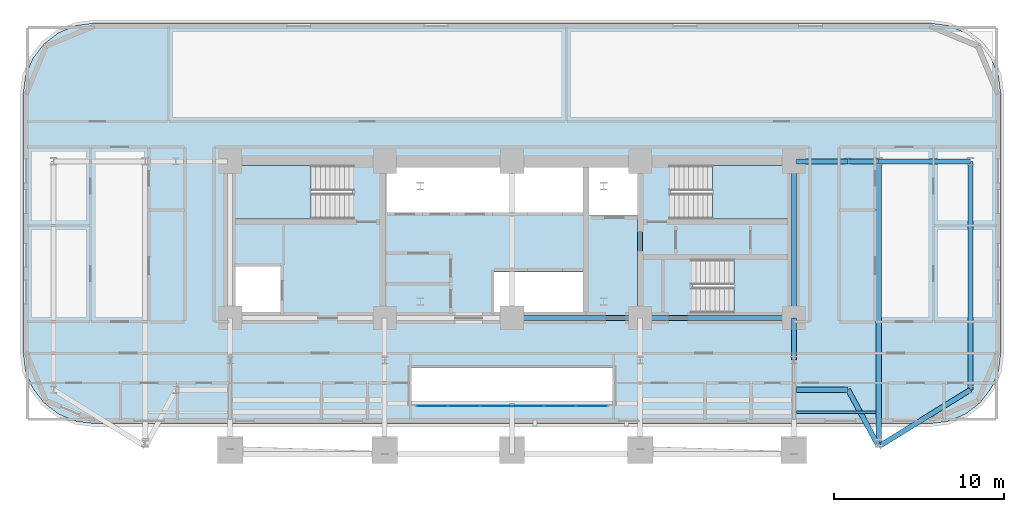
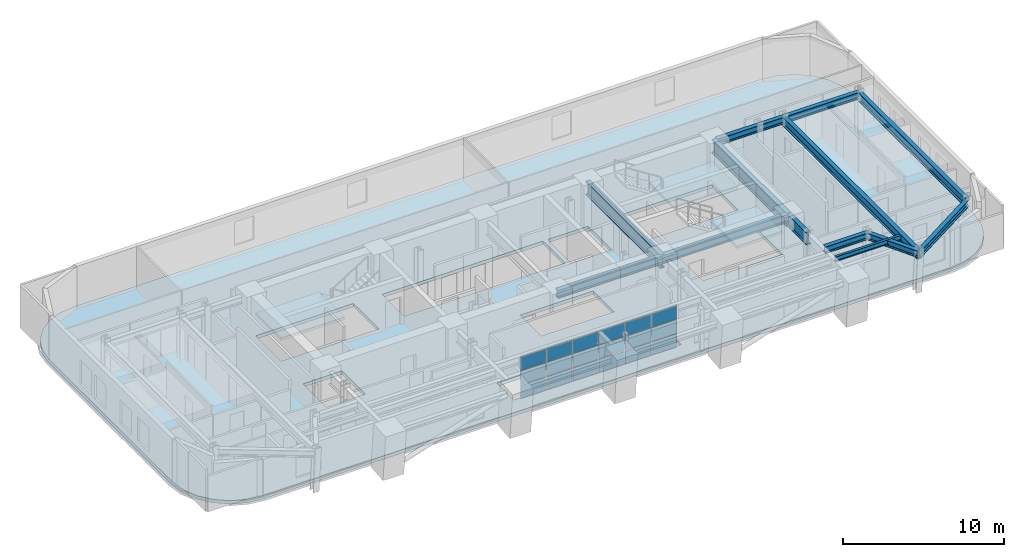
# One storey, part 5 of 15: 18 plates, 14 beams, 4 slabs, 4 elements without a shape of their own.
"""IFC4 building model written with IfcOpenShell, lengths in metres."""

from ifc_helpers import new_model, si_unit, direction, frame, origin, origin_2d, place, context, subcontext, project, spatial, polyline, rectangle, i_section, outline, extrude, material, layer, layer_set, material_profile, profile_set, type_object, element, aggregate, save


model = new_model("IFC4")

# Units and contexts
model_context = context("Model", 3, precision=1e-05, world=origin(), true_north=direction((0.0, 1.0)))
body_context = subcontext(model_context, "Body", "Model", "MODEL_VIEW")
ifc_project = project(units=[si_unit("LENGTHUNIT", "METRE"), si_unit("AREAUNIT", "SQUARE_METRE"), si_unit("VOLUMEUNIT", "CUBIC_METRE"), si_unit("PLANEANGLEUNIT", "RADIAN"), si_unit("MASSUNIT", "GRAM", prefix="KILO")], contexts=[model_context])

# Site, building, storey
site_placement = place(None, origin())
site = spatial("IfcSite", under=ifc_project, at=site_placement, CompositionType="ELEMENT")
building_placement = place(site_placement, origin())
building = spatial("IfcBuilding", under=site, at=building_placement, Name="Zarnavel Station Tower", CompositionType="ELEMENT")
storey_placement = place(building_placement, frame((0.0, 0.0, 67.5)))
storey = spatial("IfcBuildingStorey", under=building, at=storey_placement, Name="L18", CompositionType="ELEMENT", Elevation=67.5)

# Beams
ifc_material_1 = material(Name="Steel S355J2", Category="steel")
ifc_material_profile_1 = material_profile(ifc_material_1, i_section(OverallWidth=0.300048828125, OverallDepth=0.5, WebThickness=0.014404296875, FlangeThickness=0.028076171875, FilletRadius=0.027099609375, at=origin_2d()), Name="HEB500")
ifc_profile_set_1 = profile_set([ifc_material_profile_1], Name="Steel S355J2")
beam_type_1 = type_object("IfcBeamType", Name="FG_HEB500", PredefinedType="USERDEFINED", material=ifc_profile_set_1)
for number, where, z_axis, x_axis, name in (
    (1, (45.544921875, 23.60009765625, 2.989990234375), (1.0, 0.0, 0.0), (0.0, 1.0, 0.0), "L18 East Wing South Tie 1"),
    (2, (45.544921875, 37.050048828125, 2.989990234375), (1.0, 0.0, 0.0), (0.0, 1.0, 0.0), "L18 East Wing North Tie 1"),
):
    element("IfcBeam", number, at=place(storey_placement, frame(where, z_axis=z_axis, x_axis=x_axis)), inside=storey, type_object=beam_type_1, Name=name, ObjectType="GIRDER", PredefinedType="USERDEFINED", context=body_context, shape_type="SweptSolid", body=[
        extrude(i_section(OverallWidth=0.300048828125, OverallDepth=0.5, WebThickness=0.014404296875, FlangeThickness=0.028076171875, FilletRadius=0.027099609375, at=origin_2d()), origin(), (0.0, 0.0, 1.0), 3.05517578125),
    ])
beam_1_placement = place(storey_placement, frame((48.60009765625, 23.60009765625, 2.989990234375), z_axis=(0.473774035119, -0.880646446451, 0.0), x_axis=(0.880646446451, 0.473774035119, 0.0)))
element("IfcBeam", 3, at=beam_1_placement, inside=storey, type_object=beam_type_1, Name="L18 East Wing South Tie 2", ObjectType="GIRDER", PredefinedType="USERDEFINED", context=body_context, shape_type="SweptSolid", body=[
    extrude(i_section(OverallWidth=0.300048828125, OverallDepth=0.5, WebThickness=0.014404296875, FlangeThickness=0.028076171875, FilletRadius=0.027099609375, at=origin_2d()), origin(), (0.0, 0.0, 1.0), 3.798828125),
])
beam_2_placement = place(storey_placement, frame((48.60009765625, 37.050048828125, 2.989990234375), z_axis=(1.0, 0.0, 0.0), x_axis=(0.0, 1.0, 0.0)))
element("IfcBeam", 4, at=beam_2_placement, inside=storey, type_object=beam_type_1, Name="L18 East Wing North Tie 2", ObjectType="GIRDER", PredefinedType="USERDEFINED", context=body_context, shape_type="SweptSolid", body=[
    extrude(i_section(OverallWidth=0.300048828125, OverallDepth=0.5, WebThickness=0.014404296875, FlangeThickness=0.028076171875, FilletRadius=0.027099609375, at=origin_2d()), origin(), (0.0, 0.0, 1.0), 1.7998046875),
])
beam_3_placement = place(storey_placement, frame((50.39990234375, 20.254638671875, 2.989990234375), z_axis=(0.85008818321, 0.526640371379, 0.0), x_axis=(-0.526640371379, 0.85008818321, 0.0)))
element("IfcBeam", 5, at=beam_3_placement, inside=storey, type_object=beam_type_1, Name="L18 East Wing South Tie 3", ObjectType="GIRDER", PredefinedType="USERDEFINED", context=body_context, shape_type="SweptSolid", body=[
    extrude(i_section(OverallWidth=0.300048828125, OverallDepth=0.5, WebThickness=0.014404296875, FlangeThickness=0.028076171875, FilletRadius=0.027099609375, at=origin_2d()), origin(), (0.0, 0.0, 1.0), 6.3525390625),
])
beam_4_placement = place(storey_placement, frame((50.39990234375, 37.050048828125, 2.989990234375), z_axis=(1.0, 0.0, 0.0), x_axis=(0.0, 1.0, 0.0)))
element("IfcBeam", 6, at=beam_4_placement, inside=storey, type_object=beam_type_1, Name="L18 East Wing North Tie 3", ObjectType="GIRDER", PredefinedType="USERDEFINED", context=body_context, shape_type="SweptSolid", body=[
    extrude(i_section(OverallWidth=0.300048828125, OverallDepth=0.5, WebThickness=0.014404296875, FlangeThickness=0.028076171875, FilletRadius=0.027099609375, at=origin_2d()), origin(), (0.0, 0.0, 1.0), 5.400146484375),
])
ifc_material_2 = material(Name="Steel S355J2", Category="steel")
ifc_material_profile_2 = material_profile(ifc_material_2, i_section(OverallWidth=0.300048828125, OverallDepth=0.60009765625, WebThickness=0.015380859375, FlangeThickness=0.030029296875, FilletRadius=0.027099609375, at=origin_2d()), Name="HEB600")
ifc_profile_set_2 = profile_set([ifc_material_profile_2], Name="Steel S355J2")
beam_type_2 = type_object("IfcBeamType", Name="FG_HEB600", PredefinedType="USERDEFINED", material=ifc_profile_set_2)
beam_5_placement = place(storey_placement, frame((28.800048828125, 27.820068359375, 2.93994140625), z_axis=(1.0, 0.0, 0.0), x_axis=(0.0, 1.0, 0.0)))
element("IfcBeam", 7, at=beam_5_placement, inside=storey, type_object=beam_type_2, Name="L18 Core Front Coupling Beam 3", ObjectType="GIRDER", PredefinedType="USERDEFINED", context=body_context, shape_type="SweptSolid", body=[
    extrude(i_section(OverallWidth=0.300048828125, OverallDepth=0.60009765625, WebThickness=0.015380859375, FlangeThickness=0.030029296875, FilletRadius=0.027099609375, at=origin_2d()), origin(), (0.0, 0.0, 1.0), 7.550048828125),
])
beam_6_placement = place(storey_placement, frame((36.35009765625, 27.820068359375, 2.93994140625), z_axis=(1.0, 0.0, 0.0), x_axis=(0.0, 1.0, 0.0)))
element("IfcBeam", 8, at=beam_6_placement, inside=storey, type_object=beam_type_2, Name="L18 Core Front Coupling Beam 4", ObjectType="GIRDER", PredefinedType="USERDEFINED", context=body_context, shape_type="SweptSolid", body=[
    extrude(i_section(OverallWidth=0.300048828125, OverallDepth=0.60009765625, WebThickness=0.015380859375, FlangeThickness=0.030029296875, FilletRadius=0.027099609375, at=origin_2d()), origin(), (0.0, 0.0, 1.0), 9.0498046875),
])
ifc_material_3 = material(Name="Steel S355J2", Category="steel")
ifc_material_profile_3 = material_profile(ifc_material_3, i_section(OverallWidth=0.300048828125, OverallDepth=0.64990234375, WebThickness=0.01611328125, FlangeThickness=0.031005859375, FilletRadius=0.027099609375, at=origin_2d()), Name="HEB650")
ifc_profile_set_3 = profile_set([ifc_material_profile_3], Name="Steel S355J2")
beam_type_3 = type_object("IfcBeamType", Name="FG_HEB650", PredefinedType="USERDEFINED", material=ifc_profile_set_3)
beam_7_placement = place(storey_placement, frame((50.39990234375, 20.254638671875, 2.9150390625), z_axis=(0.0, 1.0, 0.0), x_axis=(-1.0, 0.0, 0.0)))
element("IfcBeam", 9, at=beam_7_placement, inside=storey, type_object=beam_type_3, Name="L18 Wing NS Girder 3", ObjectType="GIRDER", PredefinedType="USERDEFINED", context=body_context, shape_type="SweptSolid", body=[
    extrude(i_section(OverallWidth=0.300048828125, OverallDepth=0.64990234375, WebThickness=0.01611328125, FlangeThickness=0.031005859375, FilletRadius=0.027099609375, at=origin_2d()), origin(), (0.0, 0.0, 1.0), 16.79541015625),
])
beam_8_placement = place(storey_placement, frame((55.800048828125, 23.60009765625, 2.9150390625), z_axis=(0.0, 1.0, 0.0), x_axis=(-1.0, 0.0, 0.0)))
element("IfcBeam", 10, at=beam_8_placement, inside=storey, type_object=beam_type_3, Name="L18 Wing NS Girder 4", ObjectType="GIRDER", PredefinedType="USERDEFINED", context=body_context, shape_type="SweptSolid", body=[
    extrude(i_section(OverallWidth=0.300048828125, OverallDepth=0.64990234375, WebThickness=0.01611328125, FlangeThickness=0.031005859375, FilletRadius=0.027099609375, at=origin_2d()), origin(), (0.0, 0.0, 1.0), 13.449951171875),
])
ifc_material_4 = material(Name="Steel S355J2", Category="steel")
ifc_material_profile_4 = material_profile(ifc_material_4, i_section(OverallWidth=0.169921875, OverallDepth=0.360107421875, WebThickness=0.008056640625, FlangeThickness=0.0126953125, FilletRadius=0.01806640625, at=origin_2d()), Name="IPE360")
ifc_profile_set_4 = profile_set([ifc_material_profile_4], Name="Steel S355J2")
beam_type_4 = type_object("IfcBeamType", Name="FJ_IPE360", PredefinedType="JOIST", material=ifc_profile_set_4)
beam_9_placement = place(storey_placement, frame((45.544921875, 22.2783203125, 3.06005859375), z_axis=(1.0, 0.0, 0.0), x_axis=(0.0, 1.0, 0.0)))
element("IfcBeam", 11, at=beam_9_placement, inside=storey, type_object=beam_type_4, Name="L18 East Wing Joist 1", PredefinedType="JOIST", context=body_context, shape_type="SweptSolid", body=[
    extrude(i_section(OverallWidth=0.169921875, OverallDepth=0.360107421875, WebThickness=0.008056640625, FlangeThickness=0.0126953125, FilletRadius=0.01806640625, at=origin_2d()), origin(), (0.0, 0.0, 1.0), 4.7099609375),
])
ifc_material_5 = material(Name="Steel S460M", Category="steel")
ifc_material_profile_5 = material_profile(ifc_material_5, i_section(OverallWidth=0.302001953125, OverallDepth=1.008056640625, WebThickness=0.02099609375, FlangeThickness=0.0400390625, FilletRadius=0.030029296875, at=origin_2d()), Name="HEM1000")
ifc_profile_set_5 = profile_set([ifc_material_profile_5], Name="Steel S460M")
beam_type_5 = type_object("IfcBeamType", Name="TG_HEM1000", PredefinedType="USERDEFINED", material=ifc_profile_set_5)
for number, where, z_axis, x_axis, name in (
    (12, (36.35009765625, 27.820068359375, 2.736083984375), (0.0, 1.0, 0.0), (-1.0, 0.0, 0.0), "L18 Core Spine Coupling Girder 4"),
    (13, (45.39990234375, 27.820068359375, 2.736083984375), (0.0, 1.0, 0.0), (-1.0, 0.0, 0.0), "L18 Core Spine Coupling Girder 5"),
):
    element("IfcBeam", number, at=place(storey_placement, frame(where, z_axis=z_axis, x_axis=x_axis)), inside=storey, type_object=beam_type_5, Name=name, ObjectType="GIRDER", PredefinedType="USERDEFINED", context=body_context, shape_type="SweptSolid", body=[
        extrude(i_section(OverallWidth=0.302001953125, OverallDepth=1.008056640625, WebThickness=0.02099609375, FlangeThickness=0.0400390625, FilletRadius=0.030029296875, at=origin_2d()), origin(), (0.0, 0.0, 1.0), 9.22998046875),
    ])
ifc_material_6 = material(Name="Steel S460M", Category="steel")
ifc_material_profile_6 = material_profile(ifc_material_6, i_section(OverallWidth=0.302001953125, OverallDepth=0.909912109375, WebThickness=0.02099609375, FlangeThickness=0.0400390625, FilletRadius=0.030029296875, at=origin_2d()), Name="HEM900")
ifc_profile_set_6 = profile_set([ifc_material_profile_6], Name="Steel S460M")
beam_type_6 = type_object("IfcBeamType", Name="TG_HEM900", PredefinedType="USERDEFINED", material=ifc_profile_set_6)
beam_10_placement = place(storey_placement, frame((45.39990234375, 25.35009765625, 2.784912109375), z_axis=(0.0, 1.0, 0.0), x_axis=(-1.0, 0.0, 0.0)))
element("IfcBeam", 14, at=beam_10_placement, inside=storey, type_object=beam_type_6, Name="L18 Inner-Zone NS Girder 5", ObjectType="GIRDER", PredefinedType="USERDEFINED", context=body_context, shape_type="SweptSolid", body=[
    extrude(i_section(OverallWidth=0.302001953125, OverallDepth=0.909912109375, WebThickness=0.02099609375, FlangeThickness=0.0400390625, FilletRadius=0.030029296875, at=origin_2d()), origin(), (0.0, 0.0, 1.0), 2.469970703125),
])

# Curtain wall, plates
ifc_material_7 = material(Name="Aluminium Dark Anodised and Solar-Control Glass", Category="aluminium")
ifc_layer_1 = layer(ifc_material_7, 0.179931640625)
ifc_layer_set_1 = layer_set([ifc_layer_1], Name="CWS2")
curtain_wall_type = type_object("IfcCurtainWallType", Name="CWS2", PredefinedType="NOTDEFINED", material=ifc_layer_set_1)
curtain_wall_placement = place(storey_placement, origin())
curtain_wall = element("IfcCurtainWall", 15, at=curtain_wall_placement, inside=storey, type_object=curtain_wall_type, Name="L18 Curtain Wall CWS2-L18-AS", PredefinedType="NOTDEFINED")
ifc_material_8 = material(Name="Double Low-E Dark Solar-Control Glass", Category="glass")
ifc_layer_2 = layer(ifc_material_8, 0.028076171875)
ifc_layer_set_2 = layer_set([ifc_layer_2], Name="CWS2_PNL")
plate_type = type_object("IfcPlateType", Name="CWS2_PNL", PredefinedType="CURTAIN_PANEL", material=ifc_layer_set_2)
plate_1_placement = place(storey_placement, frame((24.106689453125, 22.64990234375, 0.06005859375), z_axis=(0.0, 0.0, 1.0), x_axis=(1.0, 0.0, 0.0)))
plate_1 = element("IfcPlate", 16, at=plate_1_placement, type_object=plate_type, Name="CW2 panel 1.1", PredefinedType="CURTAIN_PANEL", context=body_context, shape_type="SweptSolid", body=[
    extrude(rectangle(XDim=1.793212890625, YDim=0.028076171875, at=origin_2d()), origin(), (0.0, 0.0, 1.0), 0.989990234375),
])
plate_2_placement = place(storey_placement, frame((24.106689453125, 22.64990234375, 1.110107421875), z_axis=(0.0, 0.0, 1.0), x_axis=(1.0, 0.0, 0.0)))
plate_2 = element("IfcPlate", 17, at=plate_2_placement, type_object=plate_type, Name="CW2 panel 1.2", PredefinedType="CURTAIN_PANEL", context=body_context, shape_type="SweptSolid", body=[
    extrude(rectangle(XDim=1.793212890625, YDim=0.028076171875, at=origin_2d()), origin(), (0.0, 0.0, 1.0), 1.02001953125),
])
plate_3_placement = place(storey_placement, frame((24.106689453125, 22.64990234375, 2.18994140625), z_axis=(0.0, 0.0, 1.0), x_axis=(1.0, 0.0, 0.0)))
plate_3 = element("IfcPlate", 18, at=plate_3_placement, type_object=plate_type, Name="CW2 panel 1.3", PredefinedType="CURTAIN_PANEL", context=body_context, shape_type="SweptSolid", body=[
    extrude(rectangle(XDim=1.793212890625, YDim=0.028076171875, at=origin_2d()), origin(), (0.0, 0.0, 1.0), 0.989990234375),
])
plate_4_placement = place(storey_placement, frame((25.97509765625, 22.64990234375, 0.06005859375), z_axis=(0.0, 0.0, 1.0), x_axis=(1.0, 0.0, 0.0)))
plate_4 = element("IfcPlate", 19, at=plate_4_placement, type_object=plate_type, Name="CW2 panel 2.1", PredefinedType="CURTAIN_PANEL", context=body_context, shape_type="SweptSolid", body=[
    extrude(rectangle(XDim=1.8232421875, YDim=0.028076171875, at=origin_2d()), origin(), (0.0, 0.0, 1.0), 0.989990234375),
])
plate_5_placement = place(storey_placement, frame((25.97509765625, 22.64990234375, 1.110107421875), z_axis=(0.0, 0.0, 1.0), x_axis=(1.0, 0.0, 0.0)))
plate_5 = element("IfcPlate", 20, at=plate_5_placement, type_object=plate_type, Name="CW2 panel 2.2", PredefinedType="CURTAIN_PANEL", context=body_context, shape_type="SweptSolid", body=[
    extrude(rectangle(XDim=1.8232421875, YDim=0.028076171875, at=origin_2d()), origin(), (0.0, 0.0, 1.0), 1.02001953125),
])
plate_6_placement = place(storey_placement, frame((25.97509765625, 22.64990234375, 2.18994140625), z_axis=(0.0, 0.0, 1.0), x_axis=(1.0, 0.0, 0.0)))
plate_6 = element("IfcPlate", 21, at=plate_6_placement, type_object=plate_type, Name="CW2 panel 2.3", PredefinedType="CURTAIN_PANEL", context=body_context, shape_type="SweptSolid", body=[
    extrude(rectangle(XDim=1.8232421875, YDim=0.028076171875, at=origin_2d()), origin(), (0.0, 0.0, 1.0), 0.989990234375),
])
plate_7_placement = place(storey_placement, frame((27.8583984375, 22.64990234375, 0.06005859375), z_axis=(0.0, 0.0, 1.0), x_axis=(1.0, 0.0, 0.0)))
plate_7 = element("IfcPlate", 22, at=plate_7_placement, type_object=plate_type, Name="CW2 panel 3.1", PredefinedType="CURTAIN_PANEL", context=body_context, shape_type="SweptSolid", body=[
    extrude(rectangle(XDim=1.8232421875, YDim=0.028076171875, at=origin_2d()), origin(), (0.0, 0.0, 1.0), 0.989990234375),
])
plate_8_placement = place(storey_placement, frame((27.8583984375, 22.64990234375, 1.110107421875), z_axis=(0.0, 0.0, 1.0), x_axis=(1.0, 0.0, 0.0)))
plate_8 = element("IfcPlate", 23, at=plate_8_placement, type_object=plate_type, Name="CW2 panel 3.2", PredefinedType="CURTAIN_PANEL", context=body_context, shape_type="SweptSolid", body=[
    extrude(rectangle(XDim=1.8232421875, YDim=0.028076171875, at=origin_2d()), origin(), (0.0, 0.0, 1.0), 1.02001953125),
])
plate_9_placement = place(storey_placement, frame((27.8583984375, 22.64990234375, 2.18994140625), z_axis=(0.0, 0.0, 1.0), x_axis=(1.0, 0.0, 0.0)))
plate_9 = element("IfcPlate", 24, at=plate_9_placement, type_object=plate_type, Name="CW2 panel 3.3", PredefinedType="CURTAIN_PANEL", context=body_context, shape_type="SweptSolid", body=[
    extrude(rectangle(XDim=1.8232421875, YDim=0.028076171875, at=origin_2d()), origin(), (0.0, 0.0, 1.0), 0.989990234375),
])
plate_10_placement = place(storey_placement, frame((29.74169921875, 22.64990234375, 0.06005859375), z_axis=(0.0, 0.0, 1.0), x_axis=(1.0, 0.0, 0.0)))
plate_10 = element("IfcPlate", 25, at=plate_10_placement, type_object=plate_type, Name="CW2 panel 4.1", PredefinedType="CURTAIN_PANEL", context=body_context, shape_type="SweptSolid", body=[
    extrude(rectangle(XDim=1.8232421875, YDim=0.028076171875, at=origin_2d()), origin(), (0.0, 0.0, 1.0), 0.989990234375),
])
plate_11_placement = place(storey_placement, frame((29.74169921875, 22.64990234375, 1.110107421875), z_axis=(0.0, 0.0, 1.0), x_axis=(1.0, 0.0, 0.0)))
plate_11 = element("IfcPlate", 26, at=plate_11_placement, type_object=plate_type, Name="CW2 panel 4.2", PredefinedType="CURTAIN_PANEL", context=body_context, shape_type="SweptSolid", body=[
    extrude(rectangle(XDim=1.8232421875, YDim=0.028076171875, at=origin_2d()), origin(), (0.0, 0.0, 1.0), 1.02001953125),
])
plate_12_placement = place(storey_placement, frame((29.74169921875, 22.64990234375, 2.18994140625), z_axis=(0.0, 0.0, 1.0), x_axis=(1.0, 0.0, 0.0)))
plate_12 = element("IfcPlate", 27, at=plate_12_placement, type_object=plate_type, Name="CW2 panel 4.3", PredefinedType="CURTAIN_PANEL", context=body_context, shape_type="SweptSolid", body=[
    extrude(rectangle(XDim=1.8232421875, YDim=0.028076171875, at=origin_2d()), origin(), (0.0, 0.0, 1.0), 0.989990234375),
])
plate_13_placement = place(storey_placement, frame((31.625, 22.64990234375, 0.06005859375), z_axis=(0.0, 0.0, 1.0), x_axis=(1.0, 0.0, 0.0)))
plate_13 = element("IfcPlate", 28, at=plate_13_placement, type_object=plate_type, Name="CW2 panel 5.1", PredefinedType="CURTAIN_PANEL", context=body_context, shape_type="SweptSolid", body=[
    extrude(rectangle(XDim=1.8232421875, YDim=0.028076171875, at=origin_2d()), origin(), (0.0, 0.0, 1.0), 0.989990234375),
])
plate_14_placement = place(storey_placement, frame((31.625, 22.64990234375, 1.110107421875), z_axis=(0.0, 0.0, 1.0), x_axis=(1.0, 0.0, 0.0)))
plate_14 = element("IfcPlate", 29, at=plate_14_placement, type_object=plate_type, Name="CW2 panel 5.2", PredefinedType="CURTAIN_PANEL", context=body_context, shape_type="SweptSolid", body=[
    extrude(rectangle(XDim=1.8232421875, YDim=0.028076171875, at=origin_2d()), origin(), (0.0, 0.0, 1.0), 1.02001953125),
])
plate_15_placement = place(storey_placement, frame((31.625, 22.64990234375, 2.18994140625), z_axis=(0.0, 0.0, 1.0), x_axis=(1.0, 0.0, 0.0)))
plate_15 = element("IfcPlate", 30, at=plate_15_placement, type_object=plate_type, Name="CW2 panel 5.3", PredefinedType="CURTAIN_PANEL", context=body_context, shape_type="SweptSolid", body=[
    extrude(rectangle(XDim=1.8232421875, YDim=0.028076171875, at=origin_2d()), origin(), (0.0, 0.0, 1.0), 0.989990234375),
])
plate_16_placement = place(storey_placement, frame((33.493408203125, 22.64990234375, 0.06005859375), z_axis=(0.0, 0.0, 1.0), x_axis=(1.0, 0.0, 0.0)))
plate_16 = element("IfcPlate", 31, at=plate_16_placement, type_object=plate_type, Name="CW2 panel 6.1", PredefinedType="CURTAIN_PANEL", context=body_context, shape_type="SweptSolid", body=[
    extrude(rectangle(XDim=1.793212890625, YDim=0.028076171875, at=origin_2d()), origin(), (0.0, 0.0, 1.0), 0.989990234375),
])
plate_17_placement = place(storey_placement, frame((33.493408203125, 22.64990234375, 1.110107421875), z_axis=(0.0, 0.0, 1.0), x_axis=(1.0, 0.0, 0.0)))
plate_17 = element("IfcPlate", 32, at=plate_17_placement, type_object=plate_type, Name="CW2 panel 6.2", PredefinedType="CURTAIN_PANEL", context=body_context, shape_type="SweptSolid", body=[
    extrude(rectangle(XDim=1.793212890625, YDim=0.028076171875, at=origin_2d()), origin(), (0.0, 0.0, 1.0), 1.02001953125),
])
plate_18_placement = place(storey_placement, frame((33.493408203125, 22.64990234375, 2.18994140625), z_axis=(0.0, 0.0, 1.0), x_axis=(1.0, 0.0, 0.0)))
plate_18 = element("IfcPlate", 33, at=plate_18_placement, type_object=plate_type, Name="CW2 panel 6.3", PredefinedType="CURTAIN_PANEL", context=body_context, shape_type="SweptSolid", body=[
    extrude(rectangle(XDim=1.793212890625, YDim=0.028076171875, at=origin_2d()), origin(), (0.0, 0.0, 1.0), 0.989990234375),
])
aggregate(curtain_wall, [plate_1, plate_2, plate_3, plate_4, plate_5, plate_6, plate_7, plate_8, plate_9, plate_10, plate_11, plate_12, plate_13, plate_14, plate_15, plate_16, plate_17, plate_18])

# Slab
ifc_material_9 = material(Name="Concrete C45/55", Category="concrete")
ifc_layer_3 = layer(ifc_material_9, 0.260009765625)
ifc_layer_set_3 = layer_set([ifc_layer_3], Name="SL_FLR_260")
slab_type_1 = type_object("IfcSlabType", Name="SL_FLR_260", PredefinedType="FLOOR", material=ifc_layer_set_3)
slab_1_placement = place(storey_placement, frame((0.0, 0.0, -0.260009765625)))
element("IfcSlab", 34, at=slab_1_placement, inside=storey, type_object=slab_type_1, Name="L18 Structural Floor Slab", PredefinedType="FLOOR", context=body_context, shape_type="SweptSolid", body=[
    extrude(outline(polyline([(53.39990234375, 21.60009765625), (54.487060546875, 21.7431640625), (55.5, 22.16259765625), (56.369873046875, 22.830078125), (57.037353515625, 23.699951171875), (57.456787109375, 24.712890625), (57.60009765625, 25.800048828125), (57.60009765625, 41.0), (57.456787109375, 42.0869140625), (57.037353515625, 43.10009765625), (56.369873046875, 43.9697265625), (55.5, 44.63720703125), (54.487060546875, 45.056884765625), (53.39990234375, 45.199951171875), (4.199951171875, 45.199951171875), (3.113037109375, 45.056884765625), (2.10009765625, 44.63720703125), (1.230224609375, 43.9697265625), (0.562744140625, 43.10009765625), (0.14306640625, 42.0869140625), (0.0, 41.0), (0.0, 25.800048828125), (0.14306640625, 24.712890625), (0.562744140625, 23.699951171875), (1.230224609375, 22.830078125), (2.10009765625, 22.16259765625), (3.113037109375, 21.7431640625), (4.199951171875, 21.60009765625), (53.39990234375, 21.60009765625)]), holes=[polyline([(12.39990234375, 33.659912109375), (19.409912109375, 33.659912109375), (19.409912109375, 36.820068359375), (12.39990234375, 36.820068359375), (12.39990234375, 33.659912109375)]), polyline([(38.14990234375, 33.659912109375), (45.159912109375, 33.659912109375), (45.159912109375, 36.820068359375), (38.14990234375, 36.820068359375), (38.14990234375, 33.659912109375)]), polyline([(39.419921875, 28.1201171875), (45.14990234375, 28.1201171875), (45.14990234375, 31.280029296875), (39.419921875, 31.280029296875), (39.419921875, 28.1201171875)]), polyline([(12.35009765625, 27.949951171875), (15.14990234375, 27.949951171875), (15.14990234375, 30.85009765625), (12.35009765625, 30.85009765625), (12.35009765625, 27.949951171875)]), polyline([(33.320068359375, 33.85009765625), (36.2099609375, 33.85009765625), (36.2099609375, 36.780029296875), (33.320068359375, 36.780029296875), (33.320068359375, 33.85009765625)]), polyline([(21.449951171875, 34.050048828125), (32.97998046875, 34.050048828125), (32.97998046875, 36.780029296875), (21.449951171875, 36.780029296875), (21.449951171875, 34.050048828125)]), polyline([(27.75, 27.949951171875), (32.97998046875, 27.949951171875), (32.97998046875, 30.550048828125), (27.75, 30.550048828125), (27.75, 27.949951171875)]), polyline([(22.800048828125, 22.800048828125), (34.800048828125, 22.800048828125), (34.800048828125, 24.89990234375), (22.800048828125, 24.89990234375), (22.800048828125, 22.800048828125)])]), origin(), (0.0, 0.0, 1.0), 0.260009765625),
])

# Stair, slab
ifc_material_10 = material(Name="Concrete C45/55", Category="concrete")
stair_type = type_object("IfcStairType", Name="ST_CORE_150", PredefinedType="HALF_TURN_STAIR", material=ifc_material_10)
stair_1_placement = place(storey_placement, origin())
stair_1 = element("IfcStair", 35, at=stair_1_placement, inside=storey, type_object=stair_type, Name="L18 Core Exit Stair ST1", PredefinedType="HALF_TURN_STAIR")
ifc_material_11 = material(Name="Concrete C45/55", Category="concrete")
ifc_layer_4 = layer(ifc_material_11, 0.199951171875)
ifc_layer_set_4 = layer_set([ifc_layer_4], Name="SL_STAIR_LAND_200")
slab_type_2 = type_object("IfcSlabType", Name="SL_STAIR_LAND_200", PredefinedType="LANDING", material=ifc_layer_set_4)
slab_2_placement = place(storey_placement, frame((0.0, 0.0, 1.550048828125)))
slab_2 = element("IfcSlab", 36, at=slab_2_placement, type_object=slab_type_2, Name="ST1 landing 1", PredefinedType="LANDING", context=body_context, shape_type="SweptSolid", body=[
    extrude(outline(polyline([(16.9599609375, 36.820068359375), (12.39990234375, 36.820068359375), (12.39990234375, 33.659912109375), (16.9599609375, 33.659912109375), (16.9599609375, 36.820068359375)])), origin(), (0.0, 0.0, 1.0), 0.199951171875),
])
aggregate(stair_1, [slab_2])

stair_2_placement = place(storey_placement, origin())
stair_2 = element("IfcStair", 37, at=stair_2_placement, inside=storey, type_object=stair_type, Name="L18 Core Exit Stair ST2", PredefinedType="HALF_TURN_STAIR")
slab_3_placement = place(storey_placement, frame((0.0, 0.0, 1.550048828125)))
slab_3 = element("IfcSlab", 38, at=slab_3_placement, type_object=slab_type_2, Name="ST2 landing 1", PredefinedType="LANDING", context=body_context, shape_type="SweptSolid", body=[
    extrude(outline(polyline([(40.60009765625, 33.659912109375), (45.159912109375, 33.659912109375), (45.159912109375, 36.820068359375), (40.60009765625, 36.820068359375), (40.60009765625, 33.659912109375)])), origin(), (0.0, 0.0, 1.0), 0.199951171875),
])
aggregate(stair_2, [slab_3])

stair_3_placement = place(storey_placement, origin())
stair_3 = element("IfcStair", 39, at=stair_3_placement, inside=storey, type_object=stair_type, Name="L18 Core Exit Stair ST3", PredefinedType="HALF_TURN_STAIR")
slab_4_placement = place(storey_placement, frame((0.0, 0.0, 1.550048828125)))
slab_4 = element("IfcSlab", 40, at=slab_4_placement, type_object=slab_type_2, Name="ST3 landing 1", PredefinedType="LANDING", context=body_context, shape_type="SweptSolid", body=[
    extrude(outline(polyline([(41.8701171875, 28.1201171875), (45.14990234375, 28.1201171875), (45.14990234375, 31.280029296875), (41.8701171875, 31.280029296875), (41.8701171875, 28.1201171875)])), origin(), (0.0, 0.0, 1.0), 0.199951171875),
])
aggregate(stair_3, [slab_4])

save(model, "model.ifc")
